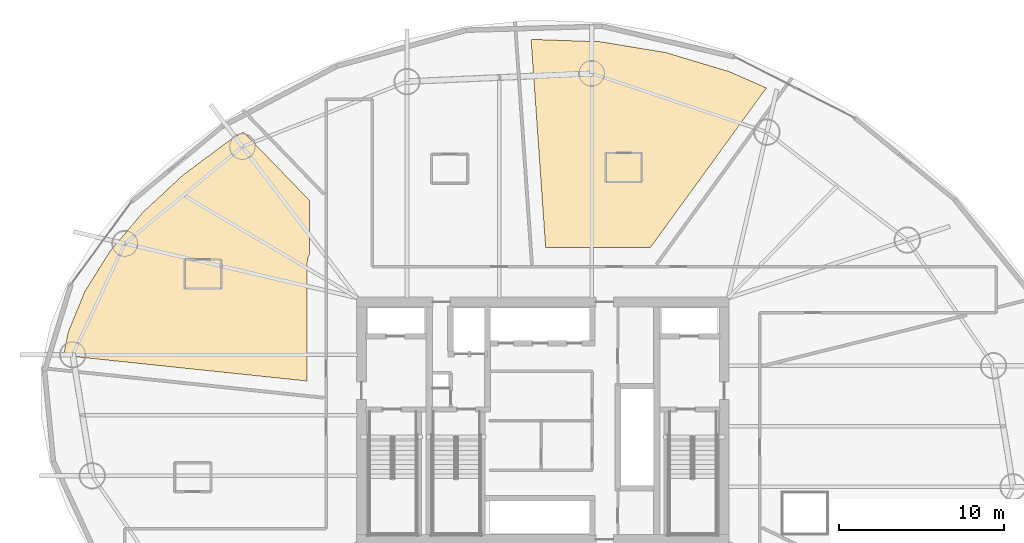
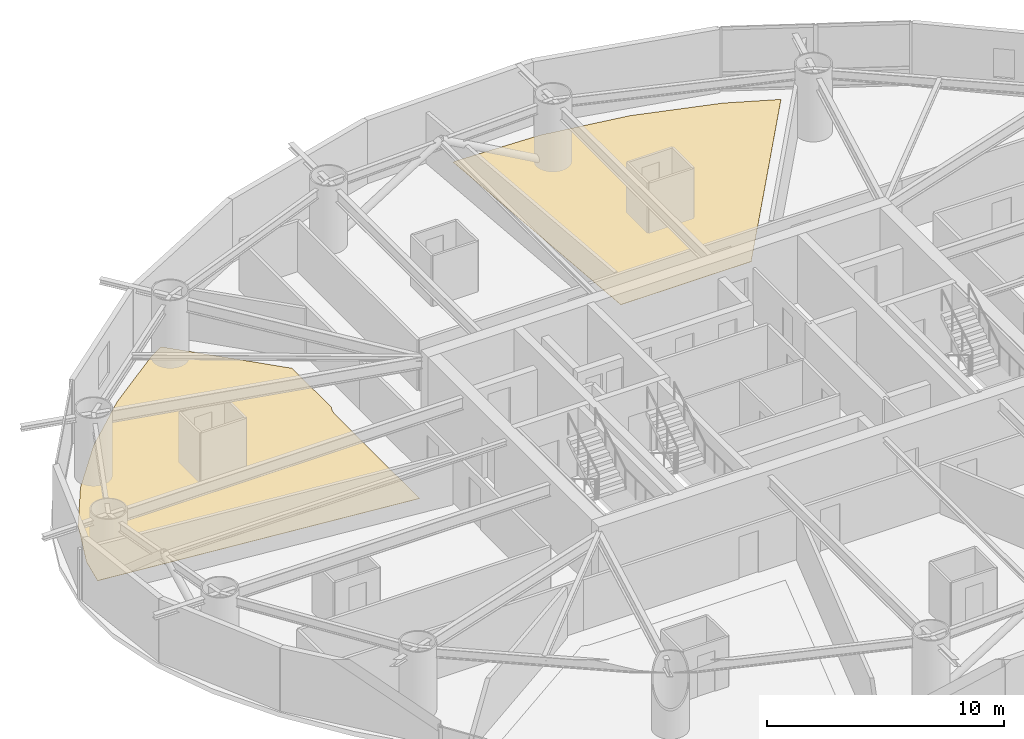
# One storey, part 20 of 20: 2 coverings.
"""IFC4 building model written with IfcOpenShell, lengths in metres."""

from ifc_helpers import new_model, si_unit, direction, frame, origin, place, context, subcontext, project, spatial, polyline, outline, extrude, material, layer, layer_set, type_object, element, save


model = new_model("IFC4")

# Units and contexts
model_context = context("Model", 3, precision=1e-05, world=origin(), true_north=direction((0.0, 1.0)))
body_context = subcontext(model_context, "Body", "Model", "MODEL_VIEW")
ifc_project = project(units=[si_unit("LENGTHUNIT", "METRE"), si_unit("AREAUNIT", "SQUARE_METRE"), si_unit("VOLUMEUNIT", "CUBIC_METRE"), si_unit("PLANEANGLEUNIT", "RADIAN"), si_unit("MASSUNIT", "GRAM", prefix="KILO")], contexts=[model_context])

# Site, building, storey
site_placement = place(None, origin())
site = spatial("IfcSite", under=ifc_project, at=site_placement, CompositionType="ELEMENT")
building_placement = place(site_placement, origin())
building = spatial("IfcBuilding", under=site, at=building_placement, Name="Bramvorn Convention Spire", CompositionType="ELEMENT")
storey_placement = place(building_placement, frame((0.0, 0.0, 58.89990234375)))
storey = spatial("IfcBuildingStorey", under=building, at=storey_placement, Name="L12", CompositionType="ELEMENT", Elevation=58.89990234375)

# Coverings
ifc_material = material(Name="Solution-Dyed Wool Broadloom Hospitality Carpet", Category="textile")
ifc_layer = layer(ifc_material, 0.014892578125)
ifc_layer_set = layer_set([ifc_layer], Name="Solution-Dyed Wool Broadloom Hospitality Carpet - FLR-CARPET-15")
covering_type = type_object("IfcCoveringType", Name="FLR-CARPET-15", PredefinedType="FLOORING", material=ifc_layer_set)
covering_1_placement = place(storey_placement, origin())
element("IfcCovering", 1, at=covering_1_placement, inside=storey, type_object=covering_type, Name="Hotel Suite 1203 wool broadloom carpet", PredefinedType="FLOORING", context=body_context, shape_type="SweptSolid", body=[
    extrude(outline(polyline([(37.493408203125, 49.130615234375), (37.2861328125, 49.111328125), (38.16796875, 36.5), (44.51611328125, 36.5), (51.558349609375, 46.192626953125), (49.29736328125, 47.18359375), (45.45654296875, 48.3359375), (41.500732421875, 48.9912109375), (37.493408203125, 49.130615234375)])), origin(), (0.0, 0.0, 1.0), 0.01513671875),
])
covering_2_placement = place(storey_placement, origin())
element("IfcCovering", 2, at=covering_2_placement, inside=storey, type_object=covering_type, Name="Hotel Suite 1205 wool broadloom carpet", PredefinedType="FLOORING", context=body_context, shape_type="SweptSolid", body=[
    extrude(outline(polyline([(9.210693359375, 31.401123046875), (8.919921875, 29.96142578125), (23.699951171875, 28.407958984375), (23.699951171875, 35.60009765625), (23.73876953125, 35.861328125), (23.830078125, 36.063720703125), (23.830078125, 39.3779296875), (19.831787109375, 43.51806640625), (19.0712890625, 43.06494140625), (16.1943359375, 40.92529296875), (13.73193359375, 38.641357421875), (11.729248046875, 36.269287109375), (10.21728515625, 33.848876953125), (9.210693359375, 31.401123046875)])), origin(), (0.0, 0.0, 1.0), 0.01513671875),
])

save(model, "model.ifc")
